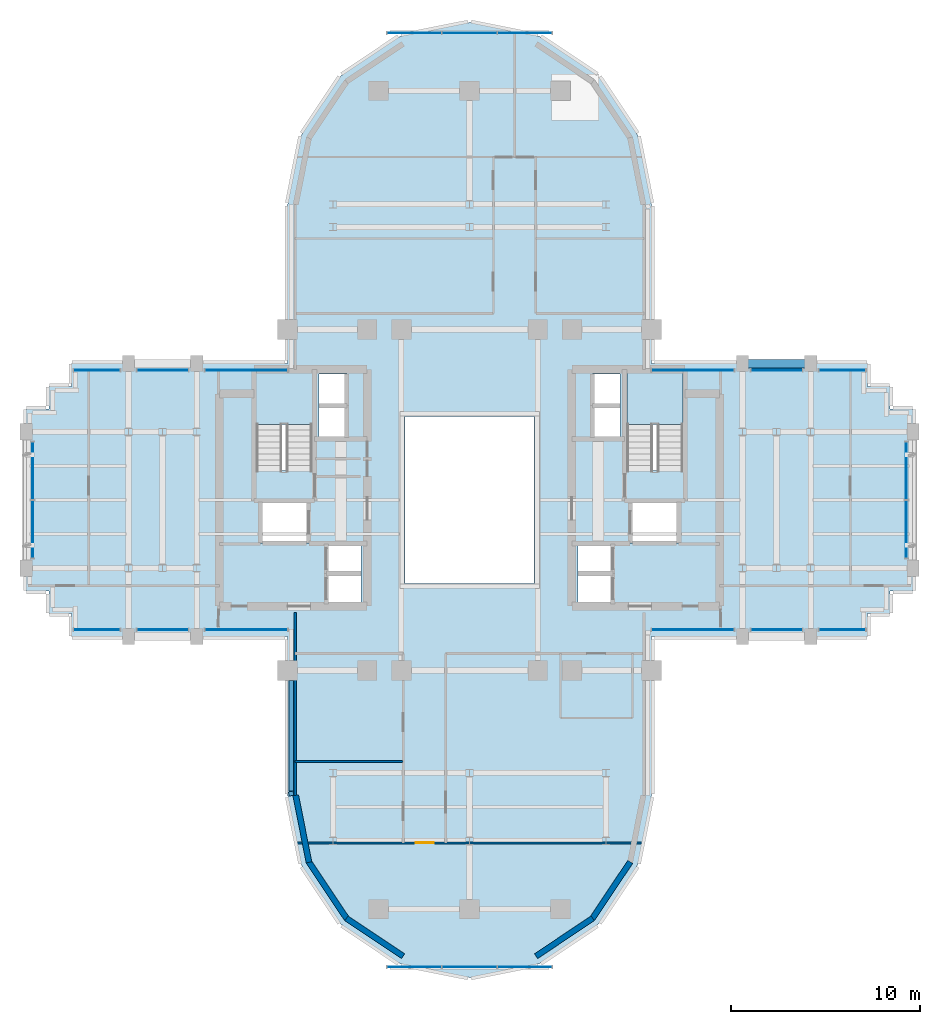
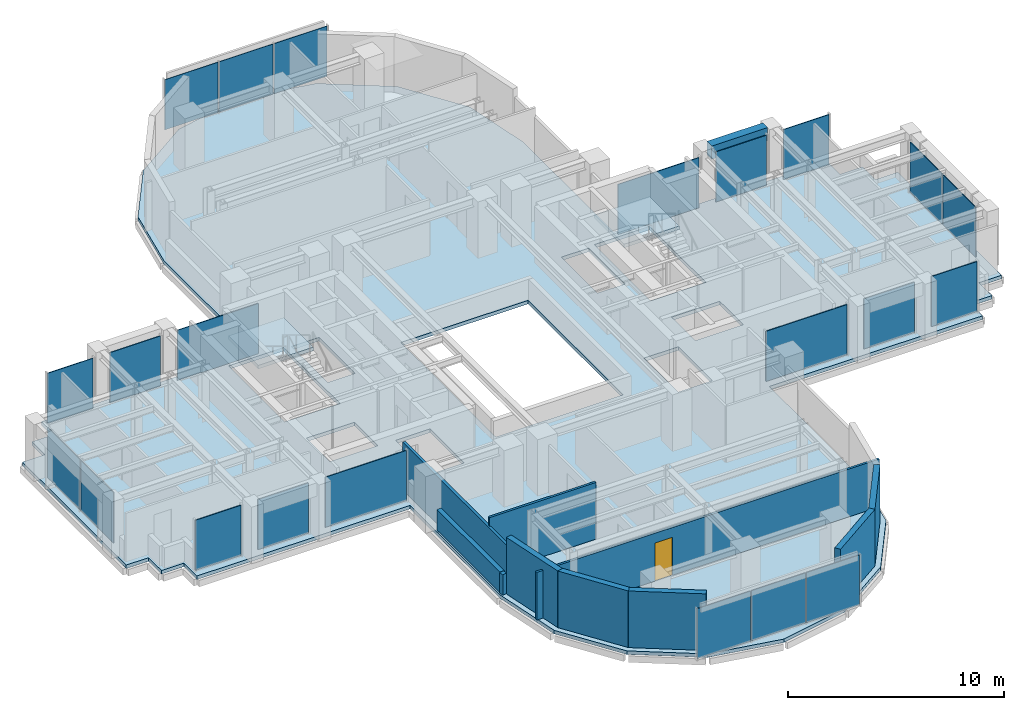
# One storey, part 7 of 14: 22 plates, 10 walls, 3 slabs, 1 beam, 1 door, 1 opening, 18 elements without a shape of their own.
"""IFC4 building model written with IfcOpenShell, lengths in metres."""

from ifc_helpers import new_model, si_unit, direction, frame, frame_2d, origin, origin_2d, place, context, subcontext, project, spatial, polyline, rectangle, outline, extrude, source, transform, mapped, material, layer, layer_set, material_profile, profile_set, type_object, element, fill, aggregate, save


model = new_model("IFC4")

# Units and contexts
model_context = context("Model", 3, precision=1e-05, world=origin(), true_north=direction((0.0, 1.0)))
body_context = subcontext(model_context, "Body", "Model", "MODEL_VIEW")
ifc_project = project(units=[si_unit("LENGTHUNIT", "METRE"), si_unit("AREAUNIT", "SQUARE_METRE"), si_unit("VOLUMEUNIT", "CUBIC_METRE"), si_unit("PLANEANGLEUNIT", "RADIAN"), si_unit("MASSUNIT", "GRAM", prefix="KILO")], contexts=[model_context])

# Site, building, storey
site_placement = place(None, origin())
site = spatial("IfcSite", under=ifc_project, at=site_placement, CompositionType="ELEMENT")
building_placement = place(site_placement, origin())
building = spatial("IfcBuilding", under=site, at=building_placement, Name="Keilestroom Media Tower", CompositionType="ELEMENT")
storey_placement = place(building_placement, frame((0.0, 0.0, 114.199951171875)))
storey = spatial("IfcBuildingStorey", under=building, at=storey_placement, Name="L30", CompositionType="ELEMENT", Elevation=114.199951171875)

# Beam
ifc_material_1 = material(Name="Precast concrete C40/50", Category="concrete")
ifc_material_profile = material_profile(ifc_material_1, rectangle(XDim=0.449951171875, YDim=0.75, at=origin_2d()), Name="PC 450x750")
ifc_profile_set = profile_set([ifc_material_profile], Name="Precast concrete C40/50")
beam_type = type_object("IfcBeamType", Name="Perimeter-Spandrel-Beam-PC-450x750", PredefinedType="SPANDREL", material=ifc_profile_set)
shared_shape_1 = source(origin(), body_context, "Body", "SweptSolid", [
    extrude(rectangle(XDim=0.449951171875, YDim=0.75, at=origin_2d()), origin(), (0.0, 0.0, 1.0), 2.989990234375),
])
beam_placement = place(storey_placement, frame((14.705078125, 7.199951171875, 2.824951171875), z_axis=(1.0, 0.0, 0.0), x_axis=(0.0, 1.0, 0.0)))
element("IfcBeam", 1, at=beam_placement, inside=storey, type_object=beam_type, Name="L30 Beam SPB-1 BM-L30-EW-027", PredefinedType="SPANDREL", context=body_context, shape_type="MappedRepresentation", body=[
    mapped(shared_shape_1, transform((0.0, 0.0, 0.0), x_axis=(1.0, 0.0, 0.0), y_axis=(0.0, 1.0, 0.0), z_axis=(0.0, 0.0, 1.0), scale=1.0)),
])

# Slab
ifc_material_2 = material(Name="Concrete C50/60", Category="concrete")
ifc_layer_1 = layer(ifc_material_2, 0.199951171875)
ifc_layer_set_1 = layer_set([ifc_layer_1], Name="Concrete C50/60")
slab_type_1 = type_object("IfcSlabType", Name="Composite-Floor-Slab-200", PredefinedType="FLOOR", material=ifc_layer_set_1)
slab_1_placement = place(storey_placement, frame((0.0, 0.0, -0.199951171875)))
element("IfcSlab", 2, at=slab_1_placement, inside=storey, type_object=slab_type_1, Name="L30 Structural Composite Floor Slab", PredefinedType="FLOOR", context=body_context, shape_type="SweptSolid", body=[
    extrude(outline(polyline([(23.39990234375, -4.800048828125), (23.39990234375, 4.800048828125), (22.199951171875, 4.800048828125), (22.199951171875, 6.0), (21.0, 6.0), (21.0, 7.199951171875), (9.60009765625, 7.199951171875), (9.60009765625, 9.60009765625), (9.60009765625, 15.60009765625), (8.869140625, 19.273681640625), (6.7880859375, 22.38818359375), (3.673828125, 24.46923828125), (0.0, 25.199951171875), (-3.673828125, 24.46923828125), (-6.7880859375, 22.38818359375), (-8.869140625, 19.273681640625), (-9.60009765625, 15.60009765625), (-9.60009765625, 9.60009765625), (-9.60009765625, 7.199951171875), (-21.0, 7.199951171875), (-21.0, 6.0), (-22.199951171875, 6.0), (-22.199951171875, 4.800048828125), (-23.39990234375, 4.800048828125), (-23.39990234375, -4.800048828125), (-22.199951171875, -4.800048828125), (-22.199951171875, -6.0), (-21.0, -6.0), (-21.0, -7.199951171875), (-9.60009765625, -7.199951171875), (-9.60009765625, -9.60009765625), (-9.60009765625, -15.60009765625), (-8.869140625, -19.273681640625), (-6.7880859375, -22.38818359375), (-3.673828125, -24.46923828125), (0.0, -25.199951171875), (3.673828125, -24.46923828125), (6.7880859375, -22.38818359375), (8.869140625, -19.273681640625), (9.60009765625, -15.60009765625), (9.60009765625, -9.60009765625), (9.60009765625, -7.199951171875), (21.0, -7.199951171875), (21.0, -6.0), (22.199951171875, -6.0), (22.199951171875, -4.800048828125), (23.39990234375, -4.800048828125)]), holes=[polyline([(-11.260009765625, 1.544921875), (-11.260009765625, 6.760009765625), (-8.300048828125, 6.760009765625), (-8.300048828125, 1.544921875), (-11.260009765625, 1.544921875)]), polyline([(-11.050048828125, -2.280029296875), (-11.050048828125, -0.10009765625), (-8.47998046875, -0.10009765625), (-8.47998046875, -2.280029296875), (-11.050048828125, -2.280029296875)]), polyline([(-7.949951171875, 3.300048828125), (-7.949951171875, 6.64990234375), (-6.47998046875, 6.64990234375), (-6.47998046875, 3.300048828125), (-7.949951171875, 3.300048828125)]), polyline([(-7.56005859375, -2.320068359375), (-5.719970703125, -2.320068359375), (-5.719970703125, -5.47998046875), (-7.56005859375, -5.47998046875), (-7.56005859375, -2.320068359375)]), polyline([(3.39990234375, -4.39990234375), (-3.39990234375, -4.39990234375), (-3.39990234375, 4.39990234375), (3.39990234375, 4.39990234375), (3.39990234375, -4.39990234375)]), polyline([(7.56005859375, -2.320068359375), (7.56005859375, -5.47998046875), (5.719970703125, -5.47998046875), (5.719970703125, -2.320068359375), (7.56005859375, -2.320068359375)]), polyline([(6.47998046875, 3.300048828125), (6.47998046875, 6.64990234375), (7.949951171875, 6.64990234375), (7.949951171875, 3.300048828125), (6.47998046875, 3.300048828125)]), polyline([(8.300048828125, 1.544921875), (8.300048828125, 6.760009765625), (11.260009765625, 6.760009765625), (11.260009765625, 1.544921875), (8.300048828125, 1.544921875)]), polyline([(8.47998046875, -2.280029296875), (8.47998046875, -0.10009765625), (11.050048828125, -0.10009765625), (11.050048828125, -2.280029296875), (8.47998046875, -2.280029296875)])]), origin(), (0.0, 0.0, 1.0), 0.199951171875),
])

# Stair, slab
ifc_material_3 = material(Name="Concrete C45/55", Category="concrete")
stair_type = type_object("IfcStairType", Name="Enclosed-Dog-Leg-Stair-ST-CORE", PredefinedType="HALF_TURN_STAIR", material=ifc_material_3)
stair_1_placement = place(storey_placement, origin())
stair_1 = element("IfcStair", 3, at=stair_1_placement, inside=storey, type_object=stair_type, Name="L30 West Core Escape Stair ST-1", PredefinedType="HALF_TURN_STAIR")
ifc_layer_2 = layer(ifc_material_3, 0.199951171875)
ifc_layer_set_2 = layer_set([ifc_layer_2], Name="Concrete C45/55")
slab_type_2 = type_object("IfcSlabType", Name="Stair-Intermediate-And-Top-Landing-Slab-200", PredefinedType="LANDING", material=ifc_layer_set_2)
slab_2_placement = place(storey_placement, frame((0.0, 0.0, 1.5)))
slab_2 = element("IfcSlab", 4, at=slab_2_placement, type_object=slab_type_2, Name="ST-1 landing 1", PredefinedType="LANDING", context=body_context, shape_type="SweptSolid", body=[
    extrude(outline(polyline([(-8.300048828125, 3.99609375), (-8.300048828125, 6.760009765625), (-11.260009765625, 6.760009765625), (-11.260009765625, 3.99609375), (-8.300048828125, 3.99609375)])), origin(), (0.0, 0.0, 1.0), 0.199951171875),
])
aggregate(stair_1, [slab_2])

stair_2_placement = place(storey_placement, origin())
stair_2 = element("IfcStair", 5, at=stair_2_placement, inside=storey, type_object=stair_type, Name="L30 East Core Escape Stair ST-2", PredefinedType="HALF_TURN_STAIR")
slab_3_placement = place(storey_placement, frame((0.0, 0.0, 1.5)))
slab_3 = element("IfcSlab", 6, at=slab_3_placement, type_object=slab_type_2, Name="ST-2 landing 1", PredefinedType="LANDING", context=body_context, shape_type="SweptSolid", body=[
    extrude(outline(polyline([(11.260009765625, 3.99609375), (11.260009765625, 6.760009765625), (8.300048828125, 6.760009765625), (8.300048828125, 3.99609375), (11.260009765625, 3.99609375)])), origin(), (0.0, 0.0, 1.0), 0.199951171875),
])
aggregate(stair_2, [slab_3])

# Curtain wall, plates
ifc_material_4 = material(Name="Anodised Aluminium Alloy", Category="aluminium")
curtain_wall_type_1 = type_object("IfcCurtainWallType", Name="Unitised-Curtain-Wall-CW-6", PredefinedType="NOTDEFINED", material=ifc_material_4)
curtain_wall_1_placement = place(storey_placement, origin())
curtain_wall_1 = element("IfcCurtainWall", 7, at=curtain_wall_1_placement, inside=storey, type_object=curtain_wall_type_1, Name="L30 Curtain Wall CW-6 CW-L30-LN-1", PredefinedType="NOTDEFINED")
ifc_material_5 = material(Name="Curved-Facet Triple Glazed Unit", Category="glass")
ifc_layer_3 = layer(ifc_material_5, 0.033935546875)
ifc_layer_set_3 = layer_set([ifc_layer_3], Name="Curved-Facet Triple Glazed Unit")
plate_type_1 = type_object("IfcPlateType", Name="Insulated-Curtain-Wall-Glazing-Panel-CW-6", PredefinedType="CURTAIN_PANEL", material=ifc_layer_set_3)
shared_shape_2 = source(origin(), body_context, "Body", "SweptSolid", [
    extrude(rectangle(XDim=2.84375, YDim=0.033935546875, at=origin_2d()), origin(), (0.0, 0.0, 1.0), 2.833984375),
])
plate_1_placement = place(storey_placement, frame((-2.9169921875, 24.64990234375, 0.072998046875), z_axis=(0.0, 0.0, 1.0), x_axis=(1.0, 0.0, 0.0)))
plate_1 = element("IfcPlate", 8, at=plate_1_placement, type_object=plate_type_1, Name="CW-6 Unitised Glazing 00", PredefinedType="CURTAIN_PANEL", context=body_context, shape_type="MappedRepresentation", body=[
    mapped(shared_shape_2, transform((0.0, 0.0, 0.0), x_axis=(1.0, 0.0, 0.0), y_axis=(0.0, 1.0, 0.0), z_axis=(0.0, 0.0, 1.0), scale=1.0)),
])
plate_2_placement = place(storey_placement, frame((2.9169921875, 24.64990234375, 0.072998046875), z_axis=(0.0, 0.0, 1.0), x_axis=(1.0, 0.0, 0.0)))
plate_2 = element("IfcPlate", 9, at=plate_2_placement, type_object=plate_type_1, Name="CW-6 Unitised Glazing 02", PredefinedType="CURTAIN_PANEL", context=body_context, shape_type="MappedRepresentation", body=[
    mapped(shared_shape_2, transform((0.0, 0.0, 0.0), x_axis=(1.0, 0.0, 0.0), y_axis=(0.0, 1.0, 0.0), z_axis=(0.0, 0.0, 1.0), scale=1.0)),
])

curtain_wall_2_placement = place(storey_placement, origin())
curtain_wall_2 = element("IfcCurtainWall", 10, at=curtain_wall_2_placement, inside=storey, type_object=curtain_wall_type_1, Name="L30 Curtain Wall CW-6 CW-L30-LS-1", PredefinedType="NOTDEFINED")
plate_3_placement = place(storey_placement, frame((-2.9169921875, -24.64990234375, 0.072998046875), z_axis=(0.0, 0.0, 1.0), x_axis=(1.0, 0.0, 0.0)))
plate_3 = element("IfcPlate", 11, at=plate_3_placement, type_object=plate_type_1, Name="CW-6 Unitised Glazing 00", PredefinedType="CURTAIN_PANEL", context=body_context, shape_type="MappedRepresentation", body=[
    mapped(shared_shape_2, transform((0.0, 0.0, 0.0), x_axis=(1.0, 0.0, 0.0), y_axis=(0.0, 1.0, 0.0), z_axis=(0.0, 0.0, 1.0), scale=1.0)),
])
plate_4_placement = place(storey_placement, frame((2.9169921875, -24.64990234375, 0.072998046875), z_axis=(0.0, 0.0, 1.0), x_axis=(1.0, 0.0, 0.0)))
plate_4 = element("IfcPlate", 12, at=plate_4_placement, type_object=plate_type_1, Name="CW-6 Unitised Glazing 02", PredefinedType="CURTAIN_PANEL", context=body_context, shape_type="MappedRepresentation", body=[
    mapped(shared_shape_2, transform((0.0, 0.0, 0.0), x_axis=(1.0, 0.0, 0.0), y_axis=(0.0, 1.0, 0.0), z_axis=(0.0, 0.0, 1.0), scale=1.0)),
])

# Plate
shared_shape_3 = source(origin(), body_context, "Body", "SweptSolid", [
    extrude(rectangle(XDim=2.876220703125, YDim=0.033935546875, at=origin_2d()), origin(), (0.0, 0.0, 1.0), 2.833984375),
])
plate_5_placement = place(storey_placement, frame((0.0, 24.64990234375, 0.072998046875), z_axis=(0.0, 0.0, 1.0), x_axis=(1.0, 0.0, 0.0)))
plate_5 = element("IfcPlate", 13, at=plate_5_placement, type_object=plate_type_1, Name="CW-6 Unitised Glazing 01", PredefinedType="CURTAIN_PANEL", context=body_context, shape_type="MappedRepresentation", body=[
    mapped(shared_shape_3, transform((0.0, 0.0, 0.0), x_axis=(1.0, 0.0, 0.0), y_axis=(0.0, 1.0, 0.0), z_axis=(0.0, 0.0, 1.0), scale=1.0)),
])

aggregate(curtain_wall_1, [plate_1, plate_5, plate_2])

plate_6_placement = place(storey_placement, frame((0.0, -24.64990234375, 0.072998046875), z_axis=(0.0, 0.0, 1.0), x_axis=(1.0, 0.0, 0.0)))
plate_6 = element("IfcPlate", 14, at=plate_6_placement, type_object=plate_type_1, Name="CW-6 Unitised Glazing 01", PredefinedType="CURTAIN_PANEL", context=body_context, shape_type="MappedRepresentation", body=[
    mapped(shared_shape_3, transform((0.0, 0.0, 0.0), x_axis=(1.0, 0.0, 0.0), y_axis=(0.0, 1.0, 0.0), z_axis=(0.0, 0.0, 1.0), scale=1.0)),
])

aggregate(curtain_wall_2, [plate_3, plate_6, plate_4])

# Curtain wall, plate
curtain_wall_type_2 = type_object("IfcCurtainWallType", Name="Unitised-Curtain-Wall-CW-2", PredefinedType="NOTDEFINED", material=ifc_material_4)
curtain_wall_3_placement = place(storey_placement, origin())
curtain_wall_3 = element("IfcCurtainWall", 15, at=curtain_wall_3_placement, inside=storey, type_object=curtain_wall_type_2, Name="L30 Curtain Wall CW-2 CW-L30-NW-1", PredefinedType="NOTDEFINED")
ifc_material_6 = material(Name="Double Glazed Low-E Unit", Category="glass")
ifc_layer_4 = layer(ifc_material_6, 0.0419921875)
ifc_layer_set_4 = layer_set([ifc_layer_4], Name="Double Glazed Low-E Unit")
plate_type_2 = type_object("IfcPlateType", Name="Insulated-Curtain-Wall-Glazing-Panel-CW-2", PredefinedType="CURTAIN_PANEL", material=ifc_layer_set_4)
shared_shape_4 = source(origin(), body_context, "Body", "SweptSolid", [
    extrude(rectangle(XDim=2.43310546875, YDim=0.0419921875, at=origin_2d()), origin(), (0.0, 0.0, 1.0), 2.833984375),
])
plate_7_placement = place(storey_placement, frame((-19.66748046875, 6.85009765625, 0.072998046875), z_axis=(0.0, 0.0, 1.0), x_axis=(1.0, 0.0, 0.0)))
plate_7 = element("IfcPlate", 16, at=plate_7_placement, type_object=plate_type_2, Name="CW-2 Unitised Glazing 00", PredefinedType="CURTAIN_PANEL", context=body_context, shape_type="MappedRepresentation", body=[
    mapped(shared_shape_4, transform((0.0, 0.0, 0.0), x_axis=(1.0, 0.0, 0.0), y_axis=(0.0, 1.0, 0.0), z_axis=(0.0, 0.0, 1.0), scale=1.0)),
])
aggregate(curtain_wall_3, [plate_7])

curtain_wall_4_placement = place(storey_placement, origin())
curtain_wall_4 = element("IfcCurtainWall", 17, at=curtain_wall_4_placement, inside=storey, type_object=curtain_wall_type_2, Name="L30 Curtain Wall CW-2 CW-L30-NE-3", PredefinedType="NOTDEFINED")
plate_8_placement = place(storey_placement, frame((19.66748046875, 6.85009765625, 0.072998046875), z_axis=(0.0, 0.0, 1.0), x_axis=(1.0, 0.0, 0.0)))
plate_8 = element("IfcPlate", 18, at=plate_8_placement, type_object=plate_type_2, Name="CW-2 Unitised Glazing 00", PredefinedType="CURTAIN_PANEL", context=body_context, shape_type="MappedRepresentation", body=[
    mapped(shared_shape_4, transform((0.0, 0.0, 0.0), x_axis=(1.0, 0.0, 0.0), y_axis=(0.0, 1.0, 0.0), z_axis=(0.0, 0.0, 1.0), scale=1.0)),
])
aggregate(curtain_wall_4, [plate_8])

curtain_wall_5_placement = place(storey_placement, origin())
curtain_wall_5 = element("IfcCurtainWall", 19, at=curtain_wall_5_placement, inside=storey, type_object=curtain_wall_type_2, Name="L30 Curtain Wall CW-2 CW-L30-SW-1", PredefinedType="NOTDEFINED")
plate_9_placement = place(storey_placement, frame((-19.66748046875, -6.85009765625, 0.072998046875), z_axis=(0.0, 0.0, 1.0), x_axis=(1.0, 0.0, 0.0)))
plate_9 = element("IfcPlate", 20, at=plate_9_placement, type_object=plate_type_2, Name="CW-2 Unitised Glazing 00", PredefinedType="CURTAIN_PANEL", context=body_context, shape_type="MappedRepresentation", body=[
    mapped(shared_shape_4, transform((0.0, 0.0, 0.0), x_axis=(1.0, 0.0, 0.0), y_axis=(0.0, 1.0, 0.0), z_axis=(0.0, 0.0, 1.0), scale=1.0)),
])
aggregate(curtain_wall_5, [plate_9])

curtain_wall_6_placement = place(storey_placement, origin())
curtain_wall_6 = element("IfcCurtainWall", 21, at=curtain_wall_6_placement, inside=storey, type_object=curtain_wall_type_2, Name="L30 Curtain Wall CW-2 CW-L30-SE-3", PredefinedType="NOTDEFINED")
plate_10_placement = place(storey_placement, frame((19.66748046875, -6.85009765625, 0.072998046875), z_axis=(0.0, 0.0, 1.0), x_axis=(1.0, 0.0, 0.0)))
plate_10 = element("IfcPlate", 22, at=plate_10_placement, type_object=plate_type_2, Name="CW-2 Unitised Glazing 00", PredefinedType="CURTAIN_PANEL", context=body_context, shape_type="MappedRepresentation", body=[
    mapped(shared_shape_4, transform((0.0, 0.0, 0.0), x_axis=(1.0, 0.0, 0.0), y_axis=(0.0, 1.0, 0.0), z_axis=(0.0, 0.0, 1.0), scale=1.0)),
])
aggregate(curtain_wall_6, [plate_10])

curtain_wall_7_placement = place(storey_placement, origin())
curtain_wall_7 = element("IfcCurtainWall", 23, at=curtain_wall_7_placement, inside=storey, type_object=curtain_wall_type_2, Name="L30 Curtain Wall CW-2 CW-L30-NW-2", PredefinedType="NOTDEFINED")
shared_shape_5 = source(origin(), body_context, "Body", "SweptSolid", [
    extrude(rectangle(XDim=2.697998046875, YDim=0.0419921875, at=origin_2d()), origin(), (0.0, 0.0, 1.0), 2.833984375),
])
plate_11_placement = place(storey_placement, frame((-16.199951171875, 6.85009765625, 0.072998046875), z_axis=(0.0, 0.0, 1.0), x_axis=(1.0, 0.0, 0.0)))
plate_11 = element("IfcPlate", 24, at=plate_11_placement, type_object=plate_type_2, Name="CW-2 Unitised Glazing 00", PredefinedType="CURTAIN_PANEL", context=body_context, shape_type="MappedRepresentation", body=[
    mapped(shared_shape_5, transform((0.0, 0.0, 0.0), x_axis=(1.0, 0.0, 0.0), y_axis=(0.0, 1.0, 0.0), z_axis=(0.0, 0.0, 1.0), scale=1.0)),
])
aggregate(curtain_wall_7, [plate_11])

curtain_wall_8_placement = place(storey_placement, origin())
curtain_wall_8 = element("IfcCurtainWall", 25, at=curtain_wall_8_placement, inside=storey, type_object=curtain_wall_type_2, Name="L30 Curtain Wall CW-2 CW-L30-NE-2", PredefinedType="NOTDEFINED")
plate_12_placement = place(storey_placement, frame((16.199951171875, 6.85009765625, 0.072998046875), z_axis=(0.0, 0.0, 1.0), x_axis=(1.0, 0.0, 0.0)))
plate_12 = element("IfcPlate", 26, at=plate_12_placement, type_object=plate_type_2, Name="CW-2 Unitised Glazing 00", PredefinedType="CURTAIN_PANEL", context=body_context, shape_type="MappedRepresentation", body=[
    mapped(shared_shape_5, transform((0.0, 0.0, 0.0), x_axis=(1.0, 0.0, 0.0), y_axis=(0.0, 1.0, 0.0), z_axis=(0.0, 0.0, 1.0), scale=1.0)),
])
aggregate(curtain_wall_8, [plate_12])

curtain_wall_9_placement = place(storey_placement, origin())
curtain_wall_9 = element("IfcCurtainWall", 27, at=curtain_wall_9_placement, inside=storey, type_object=curtain_wall_type_2, Name="L30 Curtain Wall CW-2 CW-L30-SW-2", PredefinedType="NOTDEFINED")
plate_13_placement = place(storey_placement, frame((-16.199951171875, -6.85009765625, 0.072998046875), z_axis=(0.0, 0.0, 1.0), x_axis=(1.0, 0.0, 0.0)))
plate_13 = element("IfcPlate", 28, at=plate_13_placement, type_object=plate_type_2, Name="CW-2 Unitised Glazing 00", PredefinedType="CURTAIN_PANEL", context=body_context, shape_type="MappedRepresentation", body=[
    mapped(shared_shape_5, transform((0.0, 0.0, 0.0), x_axis=(1.0, 0.0, 0.0), y_axis=(0.0, 1.0, 0.0), z_axis=(0.0, 0.0, 1.0), scale=1.0)),
])
aggregate(curtain_wall_9, [plate_13])

curtain_wall_10_placement = place(storey_placement, origin())
curtain_wall_10 = element("IfcCurtainWall", 29, at=curtain_wall_10_placement, inside=storey, type_object=curtain_wall_type_2, Name="L30 Curtain Wall CW-2 CW-L30-SE-2", PredefinedType="NOTDEFINED")
plate_14_placement = place(storey_placement, frame((16.199951171875, -6.85009765625, 0.072998046875), z_axis=(0.0, 0.0, 1.0), x_axis=(1.0, 0.0, 0.0)))
plate_14 = element("IfcPlate", 30, at=plate_14_placement, type_object=plate_type_2, Name="CW-2 Unitised Glazing 00", PredefinedType="CURTAIN_PANEL", context=body_context, shape_type="MappedRepresentation", body=[
    mapped(shared_shape_5, transform((0.0, 0.0, 0.0), x_axis=(1.0, 0.0, 0.0), y_axis=(0.0, 1.0, 0.0), z_axis=(0.0, 0.0, 1.0), scale=1.0)),
])
aggregate(curtain_wall_10, [plate_14])

curtain_wall_11_placement = place(storey_placement, origin())
curtain_wall_11 = element("IfcCurtainWall", 31, at=curtain_wall_11_placement, inside=storey, type_object=curtain_wall_type_2, Name="L30 Curtain Wall CW-2 CW-L30-NW-3", PredefinedType="NOTDEFINED")
shared_shape_6 = source(origin(), body_context, "Body", "SweptSolid", [
    extrude(rectangle(XDim=4.3330078125, YDim=0.0419921875, at=origin_2d()), origin(), (0.0, 0.0, 1.0), 2.833984375),
])
plate_15_placement = place(storey_placement, frame((-11.782470703125, 6.85009765625, 0.072998046875), z_axis=(0.0, 0.0, 1.0), x_axis=(1.0, 0.0, 0.0)))
plate_15 = element("IfcPlate", 32, at=plate_15_placement, type_object=plate_type_2, Name="CW-2 Unitised Glazing 00", PredefinedType="CURTAIN_PANEL", context=body_context, shape_type="MappedRepresentation", body=[
    mapped(shared_shape_6, transform((0.0, 0.0, 0.0), x_axis=(1.0, 0.0, 0.0), y_axis=(0.0, 1.0, 0.0), z_axis=(0.0, 0.0, 1.0), scale=1.0)),
])
aggregate(curtain_wall_11, [plate_15])

curtain_wall_12_placement = place(storey_placement, origin())
curtain_wall_12 = element("IfcCurtainWall", 33, at=curtain_wall_12_placement, inside=storey, type_object=curtain_wall_type_2, Name="L30 Curtain Wall CW-2 CW-L30-NE-1", PredefinedType="NOTDEFINED")
plate_16_placement = place(storey_placement, frame((11.782470703125, 6.85009765625, 0.072998046875), z_axis=(0.0, 0.0, 1.0), x_axis=(1.0, 0.0, 0.0)))
plate_16 = element("IfcPlate", 34, at=plate_16_placement, type_object=plate_type_2, Name="CW-2 Unitised Glazing 00", PredefinedType="CURTAIN_PANEL", context=body_context, shape_type="MappedRepresentation", body=[
    mapped(shared_shape_6, transform((0.0, 0.0, 0.0), x_axis=(1.0, 0.0, 0.0), y_axis=(0.0, 1.0, 0.0), z_axis=(0.0, 0.0, 1.0), scale=1.0)),
])
aggregate(curtain_wall_12, [plate_16])

curtain_wall_13_placement = place(storey_placement, origin())
curtain_wall_13 = element("IfcCurtainWall", 35, at=curtain_wall_13_placement, inside=storey, type_object=curtain_wall_type_2, Name="L30 Curtain Wall CW-2 CW-L30-SW-3", PredefinedType="NOTDEFINED")
plate_17_placement = place(storey_placement, frame((-11.782470703125, -6.85009765625, 0.072998046875), z_axis=(0.0, 0.0, 1.0), x_axis=(1.0, 0.0, 0.0)))
plate_17 = element("IfcPlate", 36, at=plate_17_placement, type_object=plate_type_2, Name="CW-2 Unitised Glazing 00", PredefinedType="CURTAIN_PANEL", context=body_context, shape_type="MappedRepresentation", body=[
    mapped(shared_shape_6, transform((0.0, 0.0, 0.0), x_axis=(1.0, 0.0, 0.0), y_axis=(0.0, 1.0, 0.0), z_axis=(0.0, 0.0, 1.0), scale=1.0)),
])
aggregate(curtain_wall_13, [plate_17])

curtain_wall_14_placement = place(storey_placement, origin())
curtain_wall_14 = element("IfcCurtainWall", 37, at=curtain_wall_14_placement, inside=storey, type_object=curtain_wall_type_2, Name="L30 Curtain Wall CW-2 CW-L30-SE-1", PredefinedType="NOTDEFINED")
plate_18_placement = place(storey_placement, frame((11.782470703125, -6.85009765625, 0.072998046875), z_axis=(0.0, 0.0, 1.0), x_axis=(1.0, 0.0, 0.0)))
plate_18 = element("IfcPlate", 38, at=plate_18_placement, type_object=plate_type_2, Name="CW-2 Unitised Glazing 00", PredefinedType="CURTAIN_PANEL", context=body_context, shape_type="MappedRepresentation", body=[
    mapped(shared_shape_6, transform((0.0, 0.0, 0.0), x_axis=(1.0, 0.0, 0.0), y_axis=(0.0, 1.0, 0.0), z_axis=(0.0, 0.0, 1.0), scale=1.0)),
])
aggregate(curtain_wall_14, [plate_18])

# Curtain wall, plates
curtain_wall_15_placement = place(storey_placement, origin())
curtain_wall_15 = element("IfcCurtainWall", 39, at=curtain_wall_15_placement, inside=storey, type_object=curtain_wall_type_2, Name="L30 Curtain Wall CW-2 CW-L30-W-1", PredefinedType="NOTDEFINED")
shared_shape_7 = source(origin(), body_context, "Body", "SweptSolid", [
    extrude(rectangle(XDim=3.01806640625, YDim=0.0419921875, at=origin_2d()), origin(), (0.0, 0.0, 1.0), 2.833984375),
])
plate_19_placement = place(storey_placement, frame((-23.050048828125, -1.5400390625, 0.072998046875), z_axis=(0.0, 0.0, 1.0), x_axis=(0.0, 1.0, 0.0)))
plate_19 = element("IfcPlate", 40, at=plate_19_placement, type_object=plate_type_2, Name="CW-2 Unitised Glazing 00", PredefinedType="CURTAIN_PANEL", context=body_context, shape_type="MappedRepresentation", body=[
    mapped(shared_shape_7, transform((0.0, 0.0, 0.0), x_axis=(1.0, 0.0, 0.0), y_axis=(0.0, 1.0, 0.0), z_axis=(0.0, 0.0, 1.0), scale=1.0)),
])
plate_20_placement = place(storey_placement, frame((-23.050048828125, 1.5400390625, 0.072998046875), z_axis=(0.0, 0.0, 1.0), x_axis=(0.0, 1.0, 0.0)))
plate_20 = element("IfcPlate", 41, at=plate_20_placement, type_object=plate_type_2, Name="CW-2 Unitised Glazing 01", PredefinedType="CURTAIN_PANEL", context=body_context, shape_type="MappedRepresentation", body=[
    mapped(shared_shape_7, transform((0.0, 0.0, 0.0), x_axis=(1.0, 0.0, 0.0), y_axis=(0.0, 1.0, 0.0), z_axis=(0.0, 0.0, 1.0), scale=1.0)),
])
aggregate(curtain_wall_15, [plate_19, plate_20])

curtain_wall_16_placement = place(storey_placement, origin())
curtain_wall_16 = element("IfcCurtainWall", 42, at=curtain_wall_16_placement, inside=storey, type_object=curtain_wall_type_2, Name="L30 Curtain Wall CW-2 CW-L30-E-1", PredefinedType="NOTDEFINED")
plate_21_placement = place(storey_placement, frame((23.050048828125, -1.5400390625, 0.072998046875), z_axis=(0.0, 0.0, 1.0), x_axis=(0.0, 1.0, 0.0)))
plate_21 = element("IfcPlate", 43, at=plate_21_placement, type_object=plate_type_2, Name="CW-2 Unitised Glazing 00", PredefinedType="CURTAIN_PANEL", context=body_context, shape_type="MappedRepresentation", body=[
    mapped(shared_shape_7, transform((0.0, 0.0, 0.0), x_axis=(1.0, 0.0, 0.0), y_axis=(0.0, 1.0, 0.0), z_axis=(0.0, 0.0, 1.0), scale=1.0)),
])
plate_22_placement = place(storey_placement, frame((23.050048828125, 1.5400390625, 0.072998046875), z_axis=(0.0, 0.0, 1.0), x_axis=(0.0, 1.0, 0.0)))
plate_22 = element("IfcPlate", 44, at=plate_22_placement, type_object=plate_type_2, Name="CW-2 Unitised Glazing 01", PredefinedType="CURTAIN_PANEL", context=body_context, shape_type="MappedRepresentation", body=[
    mapped(shared_shape_7, transform((0.0, 0.0, 0.0), x_axis=(1.0, 0.0, 0.0), y_axis=(0.0, 1.0, 0.0), z_axis=(0.0, 0.0, 1.0), scale=1.0)),
])
aggregate(curtain_wall_16, [plate_21, plate_22])

# Walls
ifc_layer_5 = layer(ifc_material_1, 0.300048828125)
ifc_layer_set_5 = layer_set([ifc_layer_5], Name="Precast concrete C40/50")
wall_type_1 = type_object("IfcWallType", Name="Exterior-Masonry-Spandrel-Wall-300", PredefinedType="SOLIDWALL", material=ifc_layer_set_5)
for number, where, z_axis, x_axis, name in (
    (45, (-9.1748046875, -15.585205078125, 0.0), (0.0, 0.0, 1.0), (0.195114232679, -0.980780523974, 0.0), "L30 Lobe Facet Precast Frame Wall 07"),
    (46, (-8.48193359375, -19.097412109375, 0.0), (0.0, 0.0, 1.0), (0.555574187116, -0.831466970246, 0.0), "L30 Lobe Facet Precast Frame Wall 08"),
):
    element("IfcWall", number, at=place(storey_placement, frame(where, z_axis=z_axis, x_axis=x_axis)), inside=storey, type_object=wall_type_1, Name=name, PredefinedType="SOLIDWALL", context=body_context, shape_type="SweptSolid", body=[
        extrude(rectangle(XDim=3.608642578125, YDim=0.300048828125, at=frame_2d((1.80419921875, 0.0))), origin(), (0.0, 0.0, 1.0), 3.199951171875),
    ])
for number, where, z_axis, x_axis, name in (
    (47, (-6.497802734375, -22.0771484375, 0.0), (0.0, 0.0, 1.0), (0.8314749531, -0.555562239868, 0.0), "L30 Lobe Facet Precast Frame Wall 09"),
    (48, (3.510009765625, -24.073486328125, 0.0), (0.0, 0.0, 1.0), (0.8314749531, 0.555562239868, 0.0), "L30 Lobe Facet Precast Frame Wall 10"),
):
    element("IfcWall", number, at=place(storey_placement, frame(where, z_axis=z_axis, x_axis=x_axis)), inside=storey, type_object=wall_type_1, Name=name, PredefinedType="SOLIDWALL", context=body_context, shape_type="SweptSolid", body=[
        extrude(rectangle(XDim=3.59326171875, YDim=0.300048828125, at=frame_2d((1.796630859375, 0.0))), origin(), (0.0, 0.0, 1.0), 3.199951171875),
    ])
wall_1_placement = place(storey_placement, frame((6.47705078125, -22.097900390625, 0.0), z_axis=(0.0, 0.0, 1.0), x_axis=(0.555574187116, 0.831466970246, 0.0)))
element("IfcWall", 49, at=wall_1_placement, inside=storey, type_object=wall_type_1, Name="L30 Lobe Facet Precast Frame Wall 11", PredefinedType="SOLIDWALL", context=body_context, shape_type="SweptSolid", body=[
    extrude(rectangle(XDim=3.608642578125, YDim=0.300048828125, at=frame_2d((1.80419921875, 0.0))), origin(), (0.0, 0.0, 1.0), 3.199951171875),
])

# Wall, opening, door
ifc_material_7 = material(Name="Gypsum Plasterboard & Steel Stud", Category="steel")
ifc_layer_6 = layer(ifc_material_7, 0.1201171875)
ifc_layer_set_6 = layer_set([ifc_layer_6], Name="Gypsum Plasterboard & Steel Stud")
wall_type_2 = type_object("IfcWallType", Name="Interior-Partition-Wall-120", PredefinedType="PARTITIONING", material=ifc_layer_set_6)
wall_2_placement = place(storey_placement, frame((-9.159912109375, -18.10009765625, 0.0), z_axis=(0.0, 0.0, 1.0), x_axis=(1.0, 0.0, 0.0)))
wall_2 = element("IfcWall", 50, at=wall_2_placement, inside=storey, type_object=wall_type_2, Name="L30 Interior Wall WP-L30-SL-STIPW", PredefinedType="PARTITIONING", context=body_context, shape_type="SweptSolid", body=[
    extrude(rectangle(XDim=18.31982421875, YDim=0.1201171875, at=frame_2d((9.159912109375, 0.0))), origin(), (0.0, 0.0, 1.0), 2.699951171875),
])
opening_placement = place(wall_2_placement, frame((6.31005859375, 0.0, 0.0)))
opening = element("IfcOpeningElement", 51, at=opening_placement, cuts=wall_2, Name="Opening DI-03", PredefinedType="OPENING", context=body_context, shape_type="SweptSolid", body=[
    extrude(rectangle(XDim=0.949951171875, YDim=2.14990234375, at=frame_2d((0.47509765625, 1.074951171875))), frame((0.0, 0.070068359375, 0.0), z_axis=(0.0, -1.0, 0.0), x_axis=(1.0, 0.0, 0.0)), (0.0, 0.0, 1.0), 0.14013671875),
])
ifc_material_8 = material(Name="Lacquered European Oak Leaf", Category="wood")
door_type = type_object("IfcDoorType", Name="Interior-Room-And-Suite-Door-DI-03", OperationType="NOTDEFINED", PredefinedType="DOOR", material=ifc_material_8)
shared_shape_8 = source(origin(), body_context, "Body", "SweptSolid", [
    extrude(rectangle(XDim=0.949951171875, YDim=2.14990234375, at=frame_2d((0.47509765625, 1.074951171875))), frame((0.0, 0.02490234375, 0.0), z_axis=(0.0, -1.0, 0.0), x_axis=(1.0, 0.0, 0.0)), (0.0, 0.0, 1.0), 0.050048828125),
])
door_placement = place(opening_placement, origin())
door = element("IfcDoor", 52, at=door_placement, inside=storey, type_object=door_type, Name="L30 Interior Door DI-L30-DSL-TIP", OperationType="SINGLE_SWING_LEFT", OverallHeight=2.14990234375, OverallWidth=0.949951171875, PredefinedType="DOOR", context=body_context, shape_type="MappedRepresentation", body=[
    mapped(shared_shape_8, transform((0.0, 0.0, 0.0), x_axis=(1.0, 0.0, 0.0), y_axis=(0.0, 1.0, 0.0), z_axis=(0.0, 0.0, 1.0), scale=1.0)),
])
fill(opening, door)

# Walls
wall_3_placement = place(storey_placement, frame((-9.199951171875, -13.800048828125, 0.0), z_axis=(0.0, 0.0, 1.0), x_axis=(1.0, 0.0, 0.0)))
element("IfcWall", 53, at=wall_3_placement, inside=storey, type_object=wall_type_2, Name="L30 Interior Wall WP-L30-SL-HWM", PredefinedType="PARTITIONING", context=body_context, shape_type="SweptSolid", body=[
    extrude(rectangle(XDim=5.699951171875, YDim=0.1201171875, at=frame_2d((2.85009765625, 0.0))), origin(), (0.0, 0.0, 1.0), 3.199951171875),
])
ifc_layer_7 = layer(ifc_material_7, 0.14990234375)
ifc_layer_set_7 = layer_set([ifc_layer_7], Name="Gypsum Plasterboard & Steel Stud")
wall_type_3 = type_object("IfcWallType", Name="Interior-Partition-Wall-150", PredefinedType="PARTITIONING", material=ifc_layer_set_7)
wall_4_placement = place(storey_placement, frame((-9.199951171875, -15.679931640625, 0.0), z_axis=(0.0, 0.0, 1.0), x_axis=(0.0, 1.0, 0.0)))
element("IfcWall", 54, at=wall_4_placement, inside=storey, type_object=wall_type_3, Name="L30 Interior Wall WP-L30-SL-CHKW", PredefinedType="PARTITIONING", context=body_context, shape_type="SweptSolid", body=[
    extrude(rectangle(XDim=9.739990234375, YDim=0.14990234375, at=frame_2d((4.8701171875, 0.0))), origin(), (0.0, 0.0, 1.0), 2.699951171875),
])
ifc_layer_8 = layer(ifc_material_1, 0.239990234375)
ifc_layer_set_8 = layer_set([ifc_layer_8], Name="Precast concrete C40/50")
wall_type_4 = type_object("IfcWallType", Name="Roof-And-Terrace-Parapet-Wall-240", PredefinedType="PARAPET", material=ifc_layer_set_8)
wall_5_placement = place(storey_placement, frame((-9.395263671875, -15.604248046875, 0.0), z_axis=(0.0, 0.0, 1.0), x_axis=(-0.194652052864, 0.980872355771, 0.0)))
element("IfcWall", 55, at=wall_5_placement, inside=storey, type_object=wall_type_4, Name="L30 Perimeter Edge Parapet Wall 07", PredefinedType="PARAPET", context=body_context, shape_type="SweptSolid", body=[
    extrude(rectangle(XDim=0.224609375, YDim=0.239990234375, at=frame_2d((0.1123046875, 0.0))), origin(), (0.0, 0.0, 1.0), 1.150146484375),
])
wall_6_placement = place(storey_placement, frame((-9.39990234375, -15.357666015625, 0.0), z_axis=(0.0, 0.0, 1.0), x_axis=(0.0, 1.0, 0.0)))
element("IfcWall", 56, at=wall_6_placement, inside=storey, type_object=wall_type_4, Name="L30 Perimeter Edge Parapet Wall 08", PredefinedType="PARAPET", context=body_context, shape_type="SweptSolid", body=[
    extrude(rectangle(XDim=5.82958984375, YDim=0.239990234375, at=frame_2d((2.914794921875, 0.0))), origin(), (0.0, 0.0, 1.0), 1.150146484375),
])

save(model, "model.ifc")
